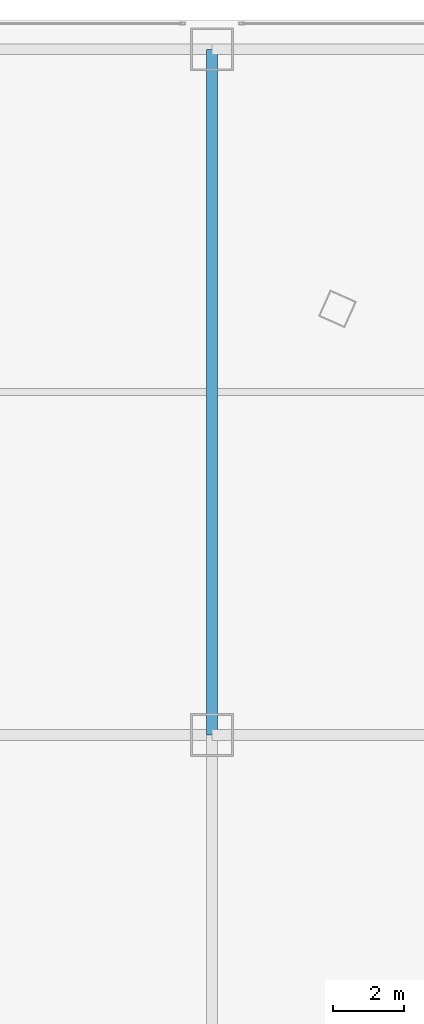
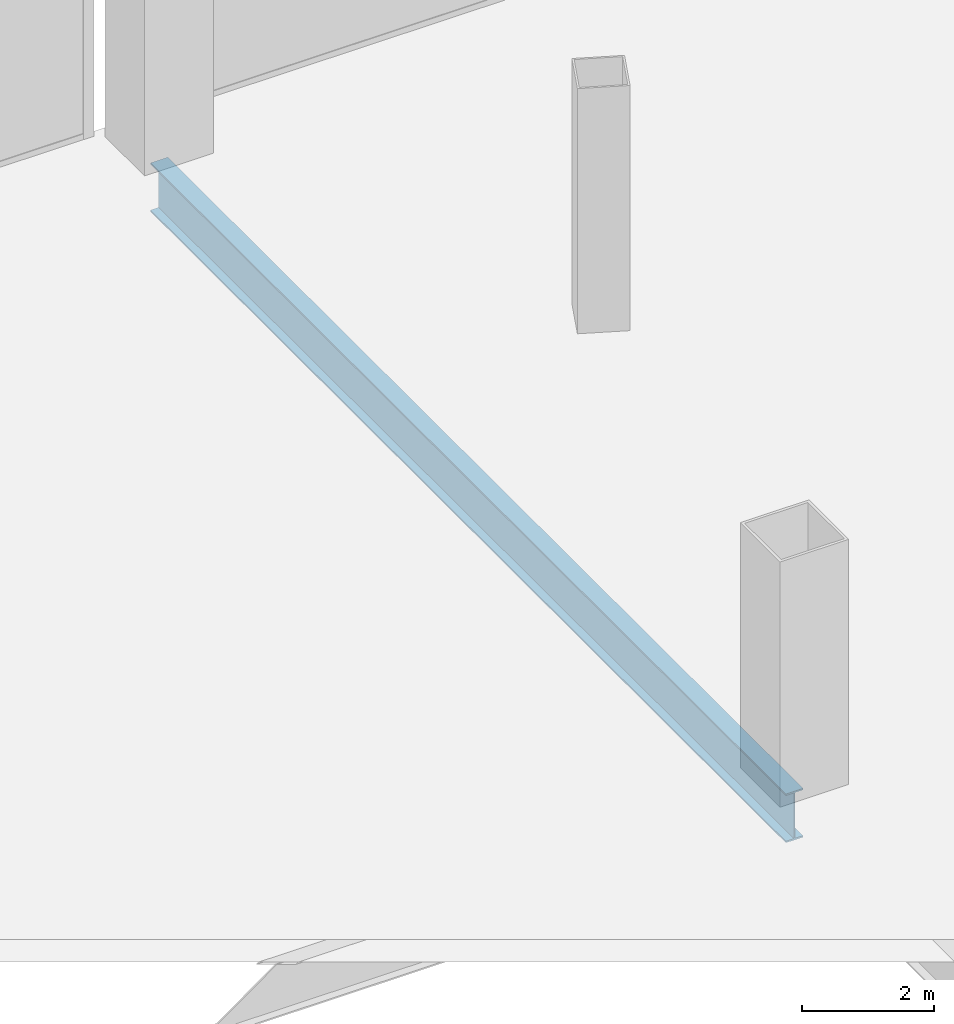
# One storey, part 25 of 40: 1 beam.
"""IFC4 building model written with IfcOpenShell, lengths in metres."""

import ifcopenshell
import ifcopenshell.guid

model = None  # the IFC model being written
_history = None  # IfcOwnerHistory: only IFC2X3 demands one
_inside = {}  # id of a spatial element -> (the spatial element, [elements in it])
_under = {}  # id of a project, library or spatial element -> (it, [spatial elements below it])
_declared = {}  # id of a project -> (the project, [libraries it declares])
_typed = {}  # id of a type object -> (the type object, [elements of that type])
_made_of = {}  # id of a material, layer set ... -> (it, [elements and type objects made of it])


def new_model(schema):
    """Start an empty IFC model of exactly this schema.

    Asked for "IFC4X3", IfcOpenShell would pick the latest addendum, in which some entities
    have other attributes; the version numbers below select the first issue.
    IFC2X3 requires an IfcOwnerHistory on every rooted entity: one is made here for all.
    """
    global model, _history
    if schema == "IFC4X3":
        model = ifcopenshell.file(schema_version=(4, 3, 0, 0))
    else:
        model = ifcopenshell.file(schema=schema)
    _inside.clear()
    _under.clear()
    _declared.clear()
    _typed.clear()
    _made_of.clear()
    _history = None
    if model.schema == "IFC2X3":
        org = make("IfcOrganization", Name="unknown")
        user = make(
            "IfcPersonAndOrganization",
            ThePerson=make("IfcPerson", FamilyName="unknown"),
            TheOrganization=org,
        )
        app = make(
            "IfcApplication",
            ApplicationDeveloper=org,
            Version="unknown",
            ApplicationFullName="unknown",
            ApplicationIdentifier="unknown",
        )
        _history = make(
            "IfcOwnerHistory",
            OwningUser=user,
            OwningApplication=app,
            ChangeAction="ADDED",
            CreationDate=0,
        )
    return model


def make(cls, **values):
    """One entity of the class cls with the attributes given. An attribute that is None is left unset."""
    return model.create_entity(
        cls, **{name: value for name, value in values.items() if value is not None}
    )


def rooted(cls, **values):
    """An entity with a GlobalId (a new one), such as an element, a storey or a relation."""
    return make(cls, GlobalId=ifcopenshell.guid.new(), OwnerHistory=_history, **values)


def si_unit(unit_type, name, prefix=None):
    """IfcSIUnit, for example si_unit("LENGTHUNIT", "METRE", prefix="MILLI")."""
    return make("IfcSIUnit", UnitType=unit_type, Prefix=prefix, Name=name)


def assignment(units):
    """IfcUnitAssignment: the units of a project."""
    return None if units is None else make("IfcUnitAssignment", Units=units)


def point(xyz):
    """IfcCartesianPoint."""
    return None if xyz is None else make("IfcCartesianPoint", Coordinates=xyz)


def direction(xyz):
    """IfcDirection."""
    return None if xyz is None else make("IfcDirection", DirectionRatios=xyz)


def frame(location, z_axis=None, x_axis=None):
    """IfcAxis2Placement3D, a coordinate frame: its origin and axes. An axis left out is left unset."""
    return make(
        "IfcAxis2Placement3D",
        Location=point(location),
        Axis=direction(z_axis),
        RefDirection=direction(x_axis),
    )


def frame_2d(location, x_axis=None):
    """IfcAxis2Placement2D, a coordinate frame in the plane: its origin and x axis."""
    return make(
        "IfcAxis2Placement2D", Location=point(location), RefDirection=direction(x_axis)
    )


def origin():
    """The frame at (0, 0, 0) with its axes left unset."""
    return frame((0.0, 0.0, 0.0))


def origin_2d():
    """The frame at (0, 0) in the plane with its x axis left unset."""
    return frame_2d((0.0, 0.0))


def place(relative_to, where):
    """IfcLocalPlacement: puts the frame where relative to a parent placement (None: the world)."""
    return make(
        "IfcLocalPlacement", PlacementRelTo=relative_to, RelativePlacement=where
    )


def context(
    kind, dimensions, precision=None, world=None, true_north=None, identifier=None
):
    """IfcGeometricRepresentationContext, for example the 3D "Model" context."""
    return make(
        "IfcGeometricRepresentationContext",
        ContextIdentifier=identifier,
        ContextType=kind,
        CoordinateSpaceDimension=dimensions,
        Precision=precision,
        WorldCoordinateSystem=world,
        TrueNorth=true_north,
    )


def subcontext(parent, identifier, kind, view, scale=None):
    """IfcGeometricRepresentationSubContext, for example "Body" below "Model"."""
    return make(
        "IfcGeometricRepresentationSubContext",
        ContextIdentifier=identifier,
        ContextType=kind,
        ParentContext=parent,
        TargetScale=scale,
        TargetView=view,
    )


def project(units=None, contexts=None):
    """IfcProject with its units and contexts."""
    return rooted(
        "IfcProject",
        Name="project",
        RepresentationContexts=contexts,
        UnitsInContext=assignment(units),
    )


def spatial(cls, under=None, at=None, **own):
    """A site, building, storey or space (cls), placed at a placement, below another one or the project."""
    s = rooted(cls, ObjectPlacement=at, **own)
    if under is not None:
        _under.setdefault(under.id(), (under, []))[1].append(s)
    return s


def profile(cls, at=None, kind="AREA", **sizes):
    """A parametric profile (cls). Its sizes go by their IFC names, for example OverallWidth=200.0."""
    return make(cls, ProfileType=kind, Position=at, **sizes)


def i_section(**sizes):
    """IfcIShapeProfileDef."""
    return profile("IfcIShapeProfileDef", **sizes)


def extrude(swept, where, along, depth):
    """IfcExtrudedAreaSolid: the profile swept, set in the frame where, extruded along a direction by depth."""
    return make(
        "IfcExtrudedAreaSolid",
        SweptArea=swept,
        Position=where,
        ExtrudedDirection=direction(along),
        Depth=depth,
    )


def shape(context_of_items, identifier, shape_type, items):
    """IfcShapeRepresentation: the items that make up one representation, for example the "Body"."""
    return make(
        "IfcShapeRepresentation",
        ContextOfItems=context_of_items,
        RepresentationIdentifier=identifier,
        RepresentationType=shape_type,
        Items=items,
    )


def source(mapping_origin, context_of_items, identifier, shape_type, items):
    """IfcRepresentationMap: a shape defined once, which mapped items show again and again."""
    return make(
        "IfcRepresentationMap",
        MappingOrigin=mapping_origin,
        MappedRepresentation=shape(context_of_items, identifier, shape_type, items),
    )


def transform(
    local_origin,
    x_axis=None,
    y_axis=None,
    z_axis=None,
    scale=None,
    scale2=None,
    scale3=None,
    uniform=True,
):
    """IfcCartesianTransformationOperator3D, or its non-uniform kind. x_axis, y_axis, z_axis: its Axis1, 2, 3."""
    if uniform:
        return make(
            "IfcCartesianTransformationOperator3D",
            Axis1=direction(x_axis),
            Axis2=direction(y_axis),
            LocalOrigin=point(local_origin),
            Scale=scale,
            Axis3=direction(z_axis),
        )
    return make(
        "IfcCartesianTransformationOperator3DnonUniform",
        Axis1=direction(x_axis),
        Axis2=direction(y_axis),
        LocalOrigin=point(local_origin),
        Scale=scale,
        Axis3=direction(z_axis),
        Scale2=scale2,
        Scale3=scale3,
    )


def mapped(mapping_source, mapping_target):
    """IfcMappedItem: shows the shape of a source again, moved by a transform."""
    return make(
        "IfcMappedItem", MappingSource=mapping_source, MappingTarget=mapping_target
    )


def material(Name=None, Category=None):
    """IfcMaterial."""
    return make("IfcMaterial", Name=Name, Category=Category)


def material_profile(
    of_material, cross_section, Name=None, Category=None, Priority=None
):
    """IfcMaterialProfile: a cross section and its material."""
    return make(
        "IfcMaterialProfile",
        Name=Name,
        Material=of_material,
        Profile=cross_section,
        Priority=Priority,
        Category=Category,
    )


def profile_set(profiles, Name=None, composite=None):
    """IfcMaterialProfileSet."""
    return make(
        "IfcMaterialProfileSet",
        Name=Name,
        MaterialProfiles=profiles,
        CompositeProfile=composite,
    )


def made_of(thing, what):
    """Note that an element or type object is made of a material, layer set ...; save() writes the relation."""
    if what is not None:
        _made_of.setdefault(what.id(), (what, []))[1].append(thing)
    return thing


def type_object(cls, material=None, **own):
    """A type object (cls), such as IfcWallType, which elements share."""
    return made_of(rooted(cls, **own), material)


def element(
    cls,
    number,
    at=None,
    inside=None,
    cuts=None,
    type_object=None,
    material=None,
    context=None,
    identifier="Body",
    shape_type=None,
    held_by="IfcProductDefinitionShape",
    body=None,
    shapes=None,
    **own,
):
    """One element of the class cls, such as IfcWall. Its Tag is "e" and its number.

    at: its placement. inside: the storey or other place that contains it. cuts: it is an
    opening in that element (IfcRelVoidsElement). A single representation is given by context,
    identifier, shape_type and body (its items); several are given by shapes. held_by: the class
    of the entity that holds the representations. save() writes the other relations.
    """
    e = rooted(cls, Tag="e%d" % number, ObjectPlacement=at, **own)
    if body is not None:
        shapes = [shape(context, identifier, shape_type, body)]
    if shapes is not None:
        e.Representation = make(held_by, Representations=shapes)
    if inside is not None:
        _inside.setdefault(inside.id(), (inside, []))[1].append(e)
    if cuts is not None:
        rooted(
            "IfcRelVoidsElement", RelatingBuildingElement=cuts, RelatedOpeningElement=e
        )
    if type_object is not None:
        _typed.setdefault(type_object.id(), (type_object, []))[1].append(e)
    return made_of(e, material)


def aggregate(whole, parts):
    """IfcRelAggregates: a whole, such as a stair, and the parts it consists of."""
    return rooted("IfcRelAggregates", RelatingObject=whole, RelatedObjects=parts)


def save(model, path):
    """Write the relations noted so far, then the file.

    IfcRelAggregates (storeys below a building ...), IfcRelContainedInSpatialStructure (elements
    in a storey), IfcRelDefinesByType, IfcRelAssociatesMaterial and IfcRelDeclares: one each for
    every whole, place, type object, material and project.
    """
    for whole, parts in _under.values():
        aggregate(whole, parts)
    for where, things in _inside.values():
        rooted(
            "IfcRelContainedInSpatialStructure",
            RelatedElements=things,
            RelatingStructure=where,
        )
    for kind, things in _typed.values():
        rooted("IfcRelDefinesByType", RelatedObjects=things, RelatingType=kind)
    for what, things in _made_of.values():
        rooted("IfcRelAssociatesMaterial", RelatedObjects=things, RelatingMaterial=what)
    for by, libraries in _declared.values():
        rooted("IfcRelDeclares", RelatingContext=by, RelatedDefinitions=libraries)
    model.write(path)


model = new_model("IFC4")

# Units and contexts
model_context = context("Model", 3, precision=1e-05, world=origin(), true_north=direction((0.0, 1.0)))
body_context = subcontext(model_context, "Body", "Model", "MODEL_VIEW")
ifc_project = project(units=[si_unit("LENGTHUNIT", "METRE"), si_unit("AREAUNIT", "SQUARE_METRE"), si_unit("VOLUMEUNIT", "CUBIC_METRE"), si_unit("PLANEANGLEUNIT", "RADIAN"), si_unit("MASSUNIT", "GRAM", prefix="KILO"), si_unit("THERMODYNAMICTEMPERATUREUNIT", "KELVIN"), si_unit("POWERUNIT", "WATT")], contexts=[model_context])

# Site, building, storey
site_placement = place(None, origin())
site = spatial("IfcSite", under=ifc_project, at=site_placement, CompositionType="ELEMENT")
building_placement = place(site_placement, origin())
building = spatial("IfcBuilding", under=site, at=building_placement, Name="Yunzhuo Pagoda Commons", CompositionType="ELEMENT")
storey_placement = place(building_placement, frame((0.0, 0.0, 14.39990234375)))
storey = spatial("IfcBuildingStorey", under=building, at=storey_placement, Name="L04", CompositionType="ELEMENT", Elevation=14.39990234375)

# Beam
ifc_material = material(Name="Structural steel Q355B", Category="steel")
ifc_material_profile = material_profile(ifc_material, i_section(OverallWidth=0.300048828125, OverallDepth=0.89990234375, WebThickness=0.01611328125, FlangeThickness=0.028076171875, at=origin_2d()), Name="Structural steel Q355B")
ifc_profile_set = profile_set([ifc_material_profile], Name="Structural steel Q355B")
beam_type = type_object("IfcBeamType", Name="B-PD1 Beam HN 900x300x16x28", PredefinedType="BEAM", material=ifc_profile_set)
shared_shape = source(origin(), body_context, "Body", "SweptSolid", [
    extrude(i_section(OverallWidth=0.300048828125, OverallDepth=0.89990234375, WebThickness=0.01611328125, FlangeThickness=0.028076171875, at=origin_2d()), origin(), (0.0, 0.0, 1.0), 19.199951171875),
])
beam_placement = place(storey_placement, frame((62.39990234375, 62.0, -0.72998046875), z_axis=(0.0, 1.0, 0.0), x_axis=(-1.0, 0.0, 0.0)))
element("IfcBeam", 1, at=beam_placement, inside=storey, type_object=beam_type, Name="L04 podium girder NS 4.4", PredefinedType="BEAM", context=body_context, shape_type="MappedRepresentation", body=[
    mapped(shared_shape, transform((0.0, 0.0, 0.0), scale=1.0)),
])

save(model, "model.ifc")
